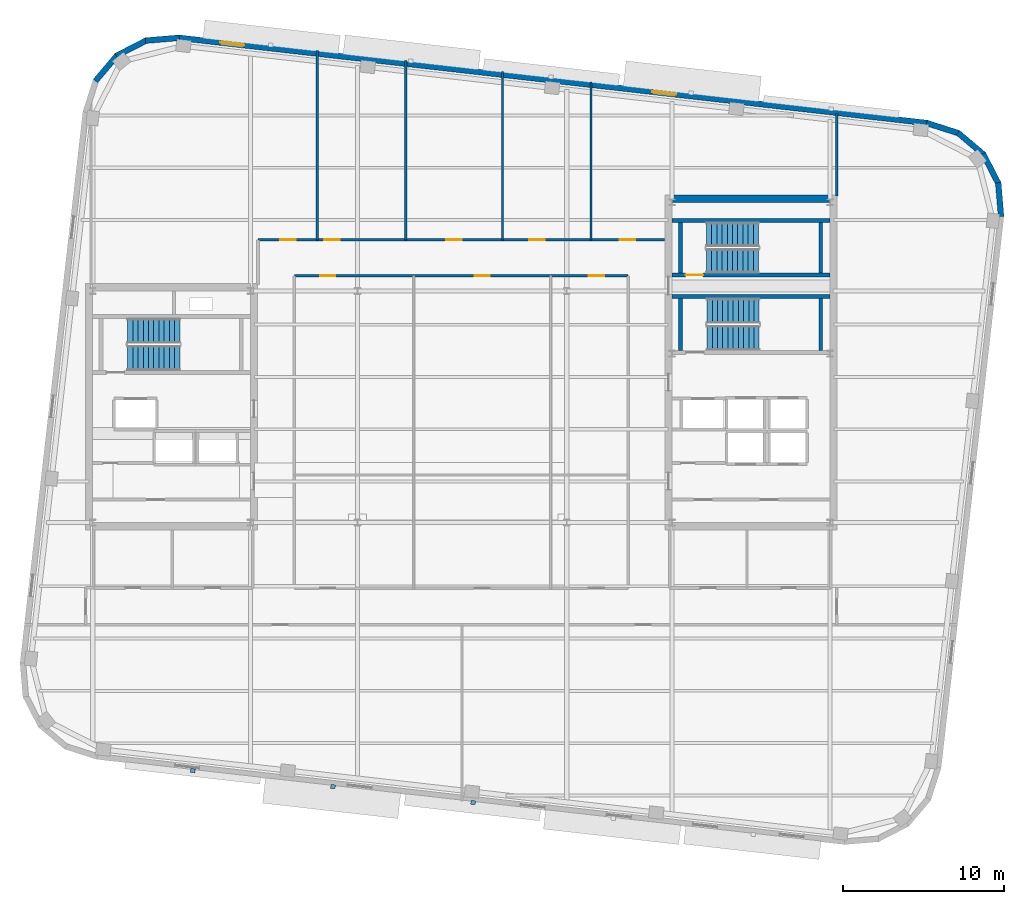
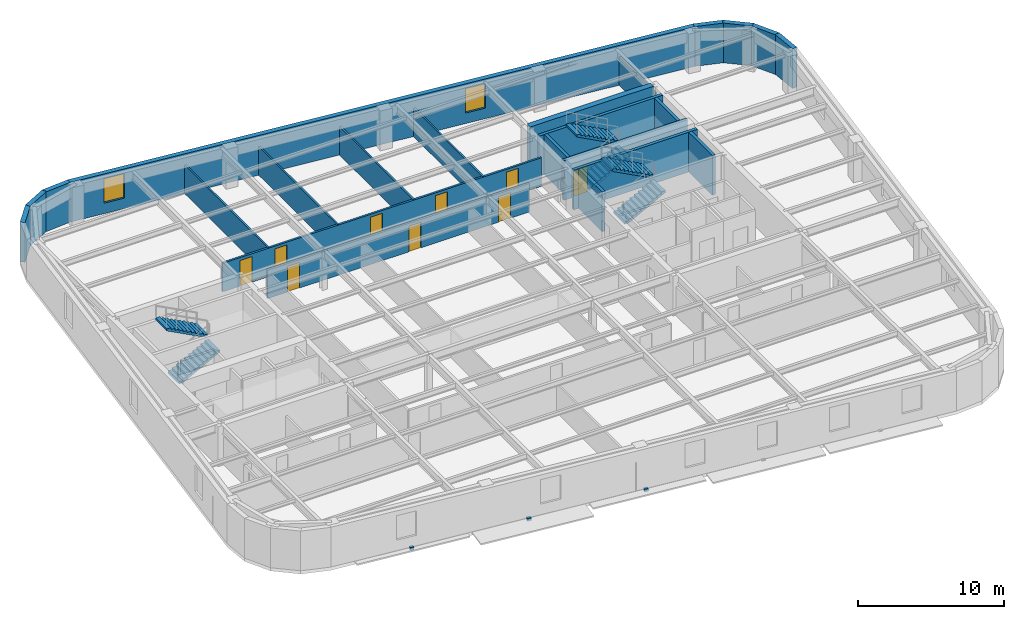
# One storey, part 8 of 13: 23 walls, 9 doors, 6 stair flights, 3 discrete accessories, 2 windows, 11 openings, 3 elements without a shape of their own.
"""IFC4 building model written with IfcOpenShell, lengths in metres."""

from ifc_helpers import new_model, si_unit, direction, frame, frame_2d, origin, origin_2d, place, context, subcontext, project, spatial, polyline, rectangle, outline, extrude, material, layer, layer_set, type_object, element, fill, aggregate, save


model = new_model("IFC4")

# Units and contexts
model_context = context("Model", 3, precision=1e-05, world=origin(), true_north=direction((0.0, 1.0)))
body_context = subcontext(model_context, "Body", "Model", "MODEL_VIEW")
ifc_project = project(units=[si_unit("LENGTHUNIT", "METRE"), si_unit("AREAUNIT", "SQUARE_METRE"), si_unit("VOLUMEUNIT", "CUBIC_METRE"), si_unit("PLANEANGLEUNIT", "RADIAN"), si_unit("MASSUNIT", "GRAM", prefix="KILO")], contexts=[model_context])

# Site, building, storey
site_placement = place(None, origin())
site = spatial("IfcSite", under=ifc_project, at=site_placement, CompositionType="ELEMENT")
building_placement = place(site_placement, origin())
building = spatial("IfcBuilding", under=site, at=building_placement, Name="Kolvaren Arena Tower", CompositionType="ELEMENT")
storey_placement = place(building_placement, frame((0.0, 0.0, 265.949951171875)))
storey = spatial("IfcBuildingStorey", under=building, at=storey_placement, Name="L65", CompositionType="ELEMENT", Elevation=265.949951171875)

# Wall, openings, doors
ifc_material_1 = material(Name="Gypsum board acoustic assembly", Category="gypsum")
ifc_layer_1 = layer(ifc_material_1, 0.159912109375)
ifc_layer_set_1 = layer_set([ifc_layer_1], Name="Gypsum board acoustic assembly")
wall_type_1 = type_object("IfcWallType", Name="CORR-160", PredefinedType="PARTITIONING", material=ifc_layer_set_1)
wall_1_placement = place(storey_placement, frame((24.820068359375, 37.02001953125, 0.0), z_axis=(0.0, 0.0, 1.0), x_axis=(1.0, 0.0, 0.0)))
wall_1 = element("IfcWall", 1, at=wall_1_placement, inside=storey, type_object=wall_type_1, Name="Interior Partition Wall (L65)", PredefinedType="PARTITIONING", context=body_context, shape_type="SweptSolid", body=[
    extrude(rectangle(XDim=25.260009765625, YDim=0.159912109375, at=frame_2d((12.6298828125, 0.0))), origin(), (0.0, 0.0, 1.0), 2.39013671875),
])
opening_1_placement = place(wall_1_placement, frame((1.3798828125, 0.0, 0.0)))
opening_1 = element("IfcOpeningElement", 2, at=opening_1_placement, cuts=wall_1, Name="Opening D05", PredefinedType="OPENING", context=body_context, shape_type="SweptSolid", body=[
    extrude(rectangle(XDim=0.949951171875, YDim=2.14990234375, at=frame_2d((0.47509765625, 1.074951171875))), frame((0.0, 0.08984375, 0.0), z_axis=(0.0, -1.0, 0.0), x_axis=(1.0, 0.0, 0.0)), (0.0, 0.0, 1.0), 0.179931640625),
])
opening_2_placement = place(wall_1_placement, frame((4.1298828125, 0.0, 0.0)))
opening_2 = element("IfcOpeningElement", 3, at=opening_2_placement, cuts=wall_1, Name="Opening D05", PredefinedType="OPENING", context=body_context, shape_type="SweptSolid", body=[
    extrude(rectangle(XDim=0.949951171875, YDim=2.14990234375, at=frame_2d((0.47509765625, 1.074951171875))), frame((0.0, 0.08984375, 0.0), z_axis=(0.0, -1.0, 0.0), x_axis=(1.0, 0.0, 0.0)), (0.0, 0.0, 1.0), 0.179931640625),
])
opening_3_placement = place(wall_1_placement, frame((11.705078125, 0.0, 0.0)))
opening_3 = element("IfcOpeningElement", 4, at=opening_3_placement, cuts=wall_1, Name="Opening D05", PredefinedType="OPENING", context=body_context, shape_type="SweptSolid", body=[
    extrude(rectangle(XDim=0.949951171875, YDim=2.14990234375, at=frame_2d((0.47509765625, 1.074951171875))), frame((0.0, 0.08984375, 0.0), z_axis=(0.0, -1.0, 0.0), x_axis=(1.0, 0.0, 0.0)), (0.0, 0.0, 1.0), 0.179931640625),
])
opening_4_placement = place(wall_1_placement, frame((16.85498046875, 0.0, 0.0)))
opening_4 = element("IfcOpeningElement", 5, at=opening_4_placement, cuts=wall_1, Name="Opening D05", PredefinedType="OPENING", context=body_context, shape_type="SweptSolid", body=[
    extrude(rectangle(XDim=0.949951171875, YDim=2.14990234375, at=frame_2d((0.47509765625, 1.074951171875))), frame((0.0, 0.08984375, 0.0), z_axis=(0.0, -1.0, 0.0), x_axis=(1.0, 0.0, 0.0)), (0.0, 0.0, 1.0), 0.179931640625),
])
opening_5_placement = place(wall_1_placement, frame((22.47998046875, 0.0, 0.0)))
opening_5 = element("IfcOpeningElement", 6, at=opening_5_placement, cuts=wall_1, Name="Opening D05", PredefinedType="OPENING", context=body_context, shape_type="SweptSolid", body=[
    extrude(rectangle(XDim=0.949951171875, YDim=2.14990234375, at=frame_2d((0.47509765625, 1.074951171875))), frame((0.0, 0.08984375, 0.0), z_axis=(0.0, -1.0, 0.0), x_axis=(1.0, 0.0, 0.0)), (0.0, 0.0, 1.0), 0.179931640625),
])
ifc_material_2 = material(Name="Solid-core oak acoustic office door", Category="wood")
door_type_1 = type_object("IfcDoorType", Name="DOOR-OF-095", OperationType="NOTDEFINED", PredefinedType="DOOR", material=ifc_material_2)
door_1_placement = place(opening_1_placement, origin())
door_1 = element("IfcDoor", 7, at=door_1_placement, inside=storey, type_object=door_type_1, Name="Wellness Room Door (L65)", OperationType="SINGLE_SWING_LEFT", OverallHeight=2.14990234375, OverallWidth=0.949951171875, PredefinedType="DOOR", context=body_context, shape_type="SweptSolid", body=[
    extrude(rectangle(XDim=0.949951171875, YDim=2.14990234375, at=frame_2d((0.47509765625, 1.074951171875))), frame((0.0, 0.02490234375, 0.0), z_axis=(0.0, -1.0, 0.0), x_axis=(1.0, 0.0, 0.0)), (0.0, 0.0, 1.0), 0.050048828125),
])
fill(opening_1, door_1)
door_2_placement = place(opening_2_placement, origin())
door_2 = element("IfcDoor", 8, at=door_2_placement, inside=storey, type_object=door_type_1, Name="Open Plan Office Door (L65)", OperationType="SINGLE_SWING_RIGHT", OverallHeight=2.14990234375, OverallWidth=0.949951171875, PredefinedType="DOOR", context=body_context, shape_type="SweptSolid", body=[
    extrude(rectangle(XDim=0.949951171875, YDim=2.14990234375, at=frame_2d((0.47509765625, 1.074951171875))), frame((0.0, 0.02490234375, 0.0), z_axis=(0.0, -1.0, 0.0), x_axis=(1.0, 0.0, 0.0)), (0.0, 0.0, 1.0), 0.050048828125),
])
fill(opening_2, door_2)
door_3_placement = place(opening_3_placement, origin())
door_3 = element("IfcDoor", 9, at=door_3_placement, inside=storey, type_object=door_type_1, Name="Boardroom Door (L65)", OperationType="SINGLE_SWING_LEFT", OverallHeight=2.14990234375, OverallWidth=0.949951171875, PredefinedType="DOOR", context=body_context, shape_type="SweptSolid", body=[
    extrude(rectangle(XDim=0.949951171875, YDim=2.14990234375, at=frame_2d((0.47509765625, 1.074951171875))), frame((0.0, 0.02490234375, 0.0), z_axis=(0.0, -1.0, 0.0), x_axis=(1.0, 0.0, 0.0)), (0.0, 0.0, 1.0), 0.050048828125),
])
fill(opening_3, door_3)
door_4_placement = place(opening_4_placement, origin())
door_4 = element("IfcDoor", 10, at=door_4_placement, inside=storey, type_object=door_type_1, Name="Breakout Pantry and Kitchen Door (L65)", OperationType="SINGLE_SWING_RIGHT", OverallHeight=2.14990234375, OverallWidth=0.949951171875, PredefinedType="DOOR", context=body_context, shape_type="SweptSolid", body=[
    extrude(rectangle(XDim=0.949951171875, YDim=2.14990234375, at=frame_2d((0.47509765625, 1.074951171875))), frame((0.0, 0.02490234375, 0.0), z_axis=(0.0, -1.0, 0.0), x_axis=(1.0, 0.0, 0.0)), (0.0, 0.0, 1.0), 0.050048828125),
])
fill(opening_4, door_4)
door_5_placement = place(opening_5_placement, origin())
door_5 = element("IfcDoor", 11, at=door_5_placement, inside=storey, type_object=door_type_1, Name="Executive Office Door (L65)", OperationType="SINGLE_SWING_LEFT", OverallHeight=2.14990234375, OverallWidth=0.949951171875, PredefinedType="DOOR", context=body_context, shape_type="SweptSolid", body=[
    extrude(rectangle(XDim=0.949951171875, YDim=2.14990234375, at=frame_2d((0.47509765625, 1.074951171875))), frame((0.0, 0.02490234375, 0.0), z_axis=(0.0, -1.0, 0.0), x_axis=(1.0, 0.0, 0.0)), (0.0, 0.0, 1.0), 0.050048828125),
])
fill(opening_5, door_5)

wall_2_placement = place(storey_placement, frame((27.080078125, 34.780029296875, 0.0), z_axis=(0.0, 0.0, 1.0), x_axis=(1.0, 0.0, 0.0)))
wall_2 = element("IfcWall", 12, at=wall_2_placement, inside=storey, type_object=wall_type_1, Name="Interior Partition Wall (L65)", PredefinedType="PARTITIONING", context=body_context, shape_type="SweptSolid", body=[
    extrude(rectangle(XDim=20.739990234375, YDim=0.159912109375, at=frame_2d((10.3701171875, 0.0))), origin(), (0.0, 0.0, 1.0), 2.39013671875),
])
opening_6_placement = place(wall_2_placement, frame((1.594970703125, 0.0, 0.0)))
opening_6 = element("IfcOpeningElement", 13, at=opening_6_placement, cuts=wall_2, Name="Opening D05", PredefinedType="OPENING", context=body_context, shape_type="SweptSolid", body=[
    extrude(rectangle(XDim=0.949951171875, YDim=2.14990234375, at=frame_2d((0.47509765625, 1.074951171875))), frame((0.0, 0.08984375, 0.0), z_axis=(0.0, -1.0, 0.0), x_axis=(1.0, 0.0, 0.0)), (0.0, 0.0, 1.0), 0.179931640625),
])
opening_7_placement = place(wall_2_placement, frame((11.195068359375, 0.0, 0.0)))
opening_7 = element("IfcOpeningElement", 14, at=opening_7_placement, cuts=wall_2, Name="Opening D05", PredefinedType="OPENING", context=body_context, shape_type="SweptSolid", body=[
    extrude(rectangle(XDim=0.949951171875, YDim=2.14990234375, at=frame_2d((0.47509765625, 1.074951171875))), frame((0.0, 0.08984375, 0.0), z_axis=(0.0, -1.0, 0.0), x_axis=(1.0, 0.0, 0.0)), (0.0, 0.0, 1.0), 0.179931640625),
])
opening_8_placement = place(wall_2_placement, frame((18.294921875, 0.0, 0.0)))
opening_8 = element("IfcOpeningElement", 15, at=opening_8_placement, cuts=wall_2, Name="Opening D05", PredefinedType="OPENING", context=body_context, shape_type="SweptSolid", body=[
    extrude(rectangle(XDim=0.949951171875, YDim=2.14990234375, at=frame_2d((0.47509765625, 1.074951171875))), frame((0.0, 0.08984375, 0.0), z_axis=(0.0, -1.0, 0.0), x_axis=(1.0, 0.0, 0.0)), (0.0, 0.0, 1.0), 0.179931640625),
])
door_6_placement = place(opening_6_placement, origin())
door_6 = element("IfcDoor", 16, at=door_6_placement, inside=storey, type_object=door_type_1, Name="Executive Office Door (L65)", OperationType="SINGLE_SWING_RIGHT", OverallHeight=2.14990234375, OverallWidth=0.949951171875, PredefinedType="DOOR", context=body_context, shape_type="SweptSolid", body=[
    extrude(rectangle(XDim=0.949951171875, YDim=2.14990234375, at=frame_2d((0.47509765625, 1.074951171875))), frame((0.0, 0.02490234375, 0.0), z_axis=(0.0, -1.0, 0.0), x_axis=(1.0, 0.0, 0.0)), (0.0, 0.0, 1.0), 0.050048828125),
])
fill(opening_6, door_6)
door_7_placement = place(opening_7_placement, origin())
door_7 = element("IfcDoor", 17, at=door_7_placement, inside=storey, type_object=door_type_1, Name="Open Plan Office Door (L65)", OperationType="SINGLE_SWING_RIGHT", OverallHeight=2.14990234375, OverallWidth=0.949951171875, PredefinedType="DOOR", context=body_context, shape_type="SweptSolid", body=[
    extrude(rectangle(XDim=0.949951171875, YDim=2.14990234375, at=frame_2d((0.47509765625, 1.074951171875))), frame((0.0, 0.02490234375, 0.0), z_axis=(0.0, -1.0, 0.0), x_axis=(1.0, 0.0, 0.0)), (0.0, 0.0, 1.0), 0.050048828125),
])
fill(opening_7, door_7)
door_8_placement = place(opening_8_placement, origin())
door_8 = element("IfcDoor", 18, at=door_8_placement, inside=storey, type_object=door_type_1, Name="Breakout Pantry and Kitchen Door (L65)", OperationType="SINGLE_SWING_RIGHT", OverallHeight=2.14990234375, OverallWidth=0.949951171875, PredefinedType="DOOR", context=body_context, shape_type="SweptSolid", body=[
    extrude(rectangle(XDim=0.949951171875, YDim=2.14990234375, at=frame_2d((0.47509765625, 1.074951171875))), frame((0.0, 0.02490234375, 0.0), z_axis=(0.0, -1.0, 0.0), x_axis=(1.0, 0.0, 0.0)), (0.0, 0.0, 1.0), 0.050048828125),
])
fill(opening_8, door_8)

# Walls
ifc_material_3 = material(Name="Concrete 55 MPa", Category="concrete")
ifc_layer_2 = layer(ifc_material_3, 0.449951171875)
ifc_layer_set_2 = layer_set([ifc_layer_2], Name="Concrete 55 MPa")
wall_type_2 = type_object("IfcWallType", Name="CWALL-450", PredefinedType="SHEAR", material=ifc_layer_set_2)
wall_3_placement = place(storey_placement, frame((50.550048828125, 39.574951171875, -0.27001953125), z_axis=(0.0, 0.0, 1.0), x_axis=(1.0, 0.0, 0.0)))
element("IfcWall", 19, at=wall_3_placement, inside=storey, type_object=wall_type_2, Name="Core Shear Wall EC-NORTH (L65)", PredefinedType="SHEAR", context=body_context, shape_type="SweptSolid", body=[
    extrude(rectangle(XDim=9.800048828125, YDim=0.449951171875, at=frame_2d((4.89990234375, 0.0))), origin(), (0.0, 0.0, 1.0), 3.60009765625),
])
ifc_material_4 = material(Name="Precast concrete C50/60", Category="concrete")
ifc_layer_3 = layer(ifc_material_4, 0.360107421875)
ifc_layer_set_3 = layer_set([ifc_layer_3], Name="Precast concrete C50/60")
wall_type_3 = type_object("IfcWallType", Name="EXT-PIER2", PredefinedType="SOLIDWALL", material=ifc_layer_set_3)
wall_4_placement = place(storey_placement, frame((70.813720703125, 40.563720703125, 0.0), z_axis=(0.0, 0.0, 1.0), x_axis=(0.082853678144, -0.996561723135, 0.0)))
element("IfcWall", 20, at=wall_4_placement, inside=storey, type_object=wall_type_3, Name="Exterior Precast Masonry-Frame Wall (L65)", PredefinedType="SOLIDWALL", context=body_context, shape_type="SweptSolid", body=[
    extrude(rectangle(XDim=2.10693359375, YDim=0.360107421875, at=frame_2d((1.053466796875, 0.0))), origin(), (0.0, 0.0, 1.0), 3.330078125),
])
for number, where, z_axis, x_axis, name in (
    (21, (69.868408203125, 42.369384765625, 0.0), (0.0, 0.0, 1.0), (0.457887222333, -0.889010287693, 0.0), "Exterior Precast Masonry-Frame Wall (L65)"),
    (22, (68.303955078125, 43.67578125, 0.0), (0.0, 0.0, 1.0), (0.763192878975, -0.646170743289, 0.0), "Exterior Precast Masonry-Frame Wall (L65)"),
    (23, (66.358642578125, 44.283935546875, 0.0), (0.0, 0.0, 1.0), (0.952403965565, -0.304838787518, 0.0), "Exterior Precast Masonry-Frame Wall (L65)"),
):
    element("IfcWall", number, at=place(storey_placement, frame(where, z_axis=z_axis, x_axis=x_axis)), inside=storey, type_object=wall_type_3, Name=name, PredefinedType="SOLIDWALL", context=body_context, shape_type="SweptSolid", body=[
        extrude(rectangle(XDim=2.107177734375, YDim=0.360107421875, at=frame_2d((1.0537109375, 0.0))), origin(), (0.0, 0.0, 1.0), 3.330078125),
    ])

# Wall, openings, windows
wall_5_placement = place(storey_placement, frame((19.89404296875, 49.57470703125, 0.0), z_axis=(0.0, 0.0, 1.0), x_axis=(0.993571439016, -0.113206870688, 0.0)))
wall_5 = element("IfcWall", 24, at=wall_5_placement, inside=storey, type_object=wall_type_3, Name="Exterior Precast Masonry-Frame Wall (L65)", PredefinedType="SOLIDWALL", context=body_context, shape_type="SweptSolid", body=[
    extrude(rectangle(XDim=46.800048828125, YDim=0.360107421875, at=frame_2d((23.39990234375, 0.0))), origin(), (0.0, 0.0, 1.0), 3.330078125),
])
opening_9_placement = place(wall_5_placement, frame((2.60009765625, 0.0, 0.8798828125)))
opening_9 = element("IfcOpeningElement", 25, at=opening_9_placement, cuts=wall_5, Name="Opening W03", PredefinedType="OPENING", context=body_context, shape_type="SweptSolid", body=[
    extrude(rectangle(XDim=1.5, YDim=2.050048828125, at=frame_2d((0.75, 1.02490234375))), frame((0.0, 0.18994140625, 0.0), z_axis=(0.0, -1.0, 0.0), x_axis=(1.0, 0.0, 0.0)), (0.0, 0.0, 1.0), 0.380126953125),
])
opening_10_placement = place(wall_5_placement, frame((29.60009765625, 0.0, 0.8798828125)))
opening_10 = element("IfcOpeningElement", 26, at=opening_10_placement, cuts=wall_5, Name="Opening W03", PredefinedType="OPENING", context=body_context, shape_type="SweptSolid", body=[
    extrude(rectangle(XDim=1.5, YDim=2.050048828125, at=frame_2d((0.75, 1.02490234375))), frame((0.0, 0.18994140625, 0.0), z_axis=(0.0, -1.0, 0.0), x_axis=(1.0, 0.0, 0.0)), (0.0, 0.0, 1.0), 0.380126953125),
])
ifc_material_5 = material(Name="Triple-glazed low-E aluminium window", Category="aluminium")
window_type = type_object("IfcWindowType", Name="WIN-OFF-C", PartitioningType="SINGLE_PANEL", PredefinedType="WINDOW", material=ifc_material_5)
window_1_placement = place(opening_9_placement, origin())
window_1 = element("IfcWindow", 27, at=window_1_placement, inside=storey, type_object=window_type, Name="Punched Precast-Pier Window (L65)", OverallHeight=2.050048828125, OverallWidth=1.5, PartitioningType="SINGLE_PANEL", PredefinedType="WINDOW", context=body_context, shape_type="SweptSolid", body=[
    extrude(rectangle(XDim=1.5, YDim=2.050048828125, at=frame_2d((0.75, 1.02490234375))), frame((0.0, 0.030029296875, 0.0), z_axis=(0.0, -1.0, 0.0), x_axis=(1.0, 0.0, 0.0)), (0.0, 0.0, 1.0), 0.06005859375),
])
fill(opening_9, window_1)
window_2_placement = place(opening_10_placement, origin())
window_2 = element("IfcWindow", 28, at=window_2_placement, inside=storey, type_object=window_type, Name="Punched Precast-Pier Window (L65)", OverallHeight=2.050048828125, OverallWidth=1.5, PartitioningType="SINGLE_PANEL", PredefinedType="WINDOW", context=body_context, shape_type="SweptSolid", body=[
    extrude(rectangle(XDim=1.5, YDim=2.050048828125, at=frame_2d((0.75, 1.02490234375))), frame((0.0, 0.030029296875, 0.0), z_axis=(0.0, -1.0, 0.0), x_axis=(1.0, 0.0, 0.0)), (0.0, 0.0, 1.0), 0.06005859375),
])
fill(opening_10, window_2)

# Walls
for number, where, z_axis, x_axis, name in (
    (29, (17.82958984375, 49.3994140625, 0.0), (0.0, 0.0, 1.0), (0.996562518477, 0.082844111233, 0.0), "Exterior Precast Masonry-Frame Wall (L65)"),
    (30, (16.02392578125, 48.4541015625, 0.0), (0.0, 0.0, 1.0), (0.889010287693, 0.457887222333, 0.0), "Exterior Precast Masonry-Frame Wall (L65)"),
    (31, (14.717529296875, 46.8896484375, 0.0), (0.0, 0.0, 1.0), (0.646170743289, 0.763192878975, 0.0), "Exterior Precast Masonry-Frame Wall (L65)"),
):
    element("IfcWall", number, at=place(storey_placement, frame(where, z_axis=z_axis, x_axis=x_axis)), inside=storey, type_object=wall_type_3, Name=name, PredefinedType="SOLIDWALL", context=body_context, shape_type="SweptSolid", body=[
        extrude(rectangle(XDim=2.107177734375, YDim=0.360107421875, at=frame_2d((1.0537109375, 0.0))), origin(), (0.0, 0.0, 1.0), 3.330078125),
    ])
ifc_material_6 = material(Name="Gypsum board partition assembly", Category="gypsum")
ifc_layer_4 = layer(ifc_material_6, 0.135009765625)
ifc_layer_set_4 = layer_set([ifc_layer_4], Name="Gypsum board partition assembly")
wall_type_4 = type_object("IfcWallType", Name="PART-135", PredefinedType="PARTITIONING", material=ifc_layer_set_4)
wall_6_placement = place(storey_placement, frame((28.5, 37.02001953125, 0.0), z_axis=(0.0, 0.0, 1.0), x_axis=(0.0, 1.0, 0.0)))
element("IfcWall", 32, at=wall_6_placement, inside=storey, type_object=wall_type_4, Name="Interior Partition Wall (L65)", PredefinedType="PARTITIONING", context=body_context, shape_type="SweptSolid", body=[
    extrude(rectangle(XDim=11.755126953125, YDim=0.135009765625, at=frame_2d((5.87744140625, 0.0))), origin(), (0.0, 0.0, 1.0), 2.39013671875),
])
wall_7_placement = place(storey_placement, frame((34.0, 37.02001953125, 0.0), z_axis=(0.0, 0.0, 1.0), x_axis=(0.0, 1.0, 0.0)))
element("IfcWall", 33, at=wall_7_placement, inside=storey, type_object=wall_type_4, Name="Interior Partition Wall (L65)", PredefinedType="PARTITIONING", context=body_context, shape_type="SweptSolid", body=[
    extrude(rectangle(XDim=11.12841796875, YDim=0.135009765625, at=frame_2d((5.564208984375, 0.0))), origin(), (0.0, 0.0, 1.0), 2.39013671875),
])
wall_8_placement = place(storey_placement, frame((40.0, 37.02001953125, 0.0), z_axis=(0.0, 0.0, 1.0), x_axis=(0.0, 1.0, 0.0)))
element("IfcWall", 34, at=wall_8_placement, inside=storey, type_object=wall_type_4, Name="Interior Partition Wall (L65)", PredefinedType="PARTITIONING", context=body_context, shape_type="SweptSolid", body=[
    extrude(rectangle(XDim=10.44482421875, YDim=0.135009765625, at=frame_2d((5.222412109375, 0.0))), origin(), (0.0, 0.0, 1.0), 2.39013671875),
])
wall_9_placement = place(storey_placement, frame((45.5, 37.02001953125, 0.0), z_axis=(0.0, 0.0, 1.0), x_axis=(0.0, 1.0, 0.0)))
element("IfcWall", 35, at=wall_9_placement, inside=storey, type_object=wall_type_4, Name="Interior Partition Wall (L65)", PredefinedType="PARTITIONING", context=body_context, shape_type="SweptSolid", body=[
    extrude(rectangle(XDim=9.818115234375, YDim=0.135009765625, at=frame_2d((4.9091796875, 0.0))), origin(), (0.0, 0.0, 1.0), 2.39013671875),
])
wall_10_placement = place(storey_placement, frame((60.780029296875, 39.75, 0.0), z_axis=(0.0, 0.0, 1.0), x_axis=(0.0, 1.0, 0.0)))
element("IfcWall", 36, at=wall_10_placement, inside=storey, type_object=wall_type_4, Name="Interior Partition Wall (L65)", PredefinedType="PARTITIONING", context=body_context, shape_type="SweptSolid", body=[
    extrude(rectangle(XDim=5.105712890625, YDim=0.135009765625, at=frame_2d((2.552734375, 0.0))), origin(), (0.0, 0.0, 1.0), 2.39013671875),
])
ifc_material_7 = material(Name="Concrete 45 MPa", Category="concrete")
ifc_layer_5 = layer(ifc_material_7, 0.25)
ifc_layer_set_5 = layer_set([ifc_layer_5], Name="Concrete 45 MPa")
wall_type_5 = type_object("IfcWallType", Name="SHAFT-250", PredefinedType="SOLIDWALL", material=ifc_layer_set_5)
wall_11_placement = place(storey_placement, frame((50.550048828125, 33.5, 0.0), z_axis=(0.0, 0.0, 1.0), x_axis=(1.0, 0.0, 0.0)))
element("IfcWall", 37, at=wall_11_placement, inside=storey, type_object=wall_type_5, Name="Core Shaft Wall (L65)", PredefinedType="SOLIDWALL", context=body_context, shape_type="SweptSolid", body=[
    extrude(rectangle(XDim=9.800048828125, YDim=0.239990234375, at=frame_2d((4.89990234375, 0.0))), origin(), (0.0, 0.0, 1.0), 3.330078125),
])
for number, where, z_axis, x_axis, name in (
    (38, (51.06005859375, 30.14990234375, 0.0), (0.0, 0.0, 1.0), (0.0, 1.0, 0.0), "Core Shaft Wall (L65)"),
    (39, (59.780029296875, 30.14990234375, 0.0), (0.0, 0.0, 1.0), (0.0, 1.0, 0.0), "Core Shaft Wall (L65)"),
):
    element("IfcWall", number, at=place(storey_placement, frame(where, z_axis=z_axis, x_axis=x_axis)), inside=storey, type_object=wall_type_5, Name=name, PredefinedType="SOLIDWALL", context=body_context, shape_type="SweptSolid", body=[
        extrude(rectangle(XDim=3.22998046875, YDim=0.239990234375, at=frame_2d((1.614990234375, 0.0))), origin(), (0.0, 0.0, 1.0), 3.330078125),
    ])

# Wall, opening, door
wall_12_placement = place(storey_placement, frame((60.35009765625, 34.830078125, 0.0), z_axis=(0.0, 0.0, 1.0), x_axis=(-1.0, 0.0, 0.0)))
wall_12 = element("IfcWall", 40, at=wall_12_placement, inside=storey, type_object=wall_type_5, Name="Core Shaft Wall (L65)", PredefinedType="SOLIDWALL", context=body_context, shape_type="SweptSolid", body=[
    extrude(rectangle(XDim=9.800048828125, YDim=0.239990234375, at=frame_2d((4.89990234375, 0.0))), origin(), (0.0, 0.0, 1.0), 3.330078125),
])
opening_11_placement = place(wall_12_placement, frame((7.8701171875, 0.0, 0.0)))
opening_11 = element("IfcOpeningElement", 41, at=opening_11_placement, cuts=wall_12, Name="Opening D03", PredefinedType="OPENING", context=body_context, shape_type="SweptSolid", body=[
    extrude(rectangle(XDim=1.10009765625, YDim=2.14990234375, at=frame_2d((0.550048828125, 1.074951171875))), frame((0.0, 0.1298828125, 0.0), z_axis=(0.0, -1.0, 0.0), x_axis=(1.0, 0.0, 0.0)), (0.0, 0.0, 1.0), 0.260009765625),
])
ifc_material_8 = material(Name="Fire-rated steel exit stair door", Category="steel")
door_type_2 = type_object("IfcDoorType", Name="DOOR-ST-110", OperationType="NOTDEFINED", PredefinedType="DOOR", material=ifc_material_8)
door_9_placement = place(opening_11_placement, origin())
door_9 = element("IfcDoor", 42, at=door_9_placement, inside=storey, type_object=door_type_2, Name="Stair ST-E2 Fire Door (L65)", OperationType="SINGLE_SWING_LEFT", OverallHeight=2.14990234375, OverallWidth=1.10009765625, PredefinedType="DOOR", context=body_context, shape_type="SweptSolid", body=[
    extrude(rectangle(XDim=1.10009765625, YDim=2.14990234375, at=frame_2d((0.550048828125, 1.074951171875))), frame((0.0, 0.02490234375, 0.0), z_axis=(0.0, -1.0, 0.0), x_axis=(1.0, 0.0, 0.0)), (0.0, 0.0, 1.0), 0.050048828125),
])
fill(opening_11, door_9)

# Walls
wall_13_placement = place(storey_placement, frame((50.550048828125, 38.219970703125, 0.0), z_axis=(0.0, 0.0, 1.0), x_axis=(1.0, 0.0, 0.0)))
element("IfcWall", 43, at=wall_13_placement, inside=storey, type_object=wall_type_5, Name="Core Shaft Wall (L65)", PredefinedType="SOLIDWALL", context=body_context, shape_type="SweptSolid", body=[
    extrude(rectangle(XDim=9.800048828125, YDim=0.239990234375, at=frame_2d((4.89990234375, 0.0))), origin(), (0.0, 0.0, 1.0), 3.330078125),
])
for number, where, z_axis, x_axis, name in (
    (44, (51.06005859375, 34.949951171875, 0.0), (0.0, 0.0, 1.0), (0.0, 1.0, 0.0), "Core Shaft Wall (L65)"),
    (45, (59.780029296875, 34.949951171875, 0.0), (0.0, 0.0, 1.0), (0.0, 1.0, 0.0), "Core Shaft Wall (L65)"),
):
    element("IfcWall", number, at=place(storey_placement, frame(where, z_axis=z_axis, x_axis=x_axis)), inside=storey, type_object=wall_type_5, Name=name, PredefinedType="SOLIDWALL", context=body_context, shape_type="SweptSolid", body=[
        extrude(rectangle(XDim=3.150146484375, YDim=0.239990234375, at=frame_2d((1.5751953125, 0.0))), origin(), (0.0, 0.0, 1.0), 3.330078125),
    ])

# Stair, stair flights
stair_type_1 = type_object("IfcStairType", Name="STAIR-CORE-150", PredefinedType="HALF_TURN_STAIR", material=ifc_material_7)
stair_1_placement = place(storey_placement, origin())
stair_1 = element("IfcStair", 46, at=stair_1_placement, inside=storey, type_object=stair_type_1, Name="L65 ST-E2", PredefinedType="HALF_TURN_STAIR")
stair_flight_type_1 = type_object("IfcStairFlightType", Name="FLT-150", PredefinedType="STRAIGHT", material=ifc_material_7)
stair_flight_1_placement = place(storey_placement, frame((52.679931640625, 35.699951171875, 0.0), z_axis=(0.0, 0.0, 1.0), x_axis=(1.0, 0.0, 0.0)))
stair_flight_1 = element("IfcStairFlight", 47, at=stair_flight_1_placement, type_object=stair_flight_type_1, Name="ST-E2 flight 1", NumberOfRisers=11, NumberOfTreads=10, PredefinedType="STRAIGHT", RiserHeight=0.170454545, TreadLength=0.324, context=body_context, shape_type="SweptSolid", body=[
    extrude(outline(polyline([(0.0, 0.0), (0.0, 0.17041015625), (0.323974609375, 0.17041015625), (0.323974609375, 0.3408203125), (0.64794921875, 0.3408203125), (0.64794921875, 0.511474609375), (0.971923828125, 0.511474609375), (0.971923828125, 0.681884765625), (1.2958984375, 0.681884765625), (1.2958984375, 0.852294921875), (1.6201171875, 0.852294921875), (1.6201171875, 1.022705078125), (1.944091796875, 1.022705078125), (1.944091796875, 1.193115234375), (2.26806640625, 1.193115234375), (2.26806640625, 1.363525390625), (2.592041015625, 1.363525390625), (2.592041015625, 1.5341796875), (2.916015625, 1.5341796875), (2.916015625, 1.70458984375), (3.239990234375, 1.70458984375), (3.239990234375, 1.875), (3.239990234375, 1.53515625), (0.322021484375, 0.0), (0.0, 0.0)])), frame((0.0, 0.75, 0.0), z_axis=(0.0, -1.0, 0.0), x_axis=(1.0, 0.0, 0.0)), (0.0, 0.0, 1.0), 1.5),
])
stair_flight_2_placement = place(storey_placement, frame((55.919921875, 37.35009765625, 1.875), z_axis=(0.0, 0.0, 1.0), x_axis=(-1.0, 0.0, 0.0)))
stair_flight_2 = element("IfcStairFlight", 48, at=stair_flight_2_placement, type_object=stair_flight_type_1, Name="ST-E2 flight 2", NumberOfRisers=11, NumberOfTreads=10, PredefinedType="STRAIGHT", RiserHeight=0.170454545, TreadLength=0.324, context=body_context, shape_type="SweptSolid", body=[
    extrude(outline(polyline([(0.0, 0.0), (0.0, 0.17041015625), (0.323974609375, 0.17041015625), (0.323974609375, 0.3408203125), (0.64794921875, 0.3408203125), (0.64794921875, 0.511474609375), (0.971923828125, 0.511474609375), (0.971923828125, 0.681884765625), (1.2958984375, 0.681884765625), (1.2958984375, 0.852294921875), (1.6201171875, 0.852294921875), (1.6201171875, 1.022705078125), (1.944091796875, 1.022705078125), (1.944091796875, 1.193115234375), (2.26806640625, 1.193115234375), (2.26806640625, 1.363525390625), (2.592041015625, 1.363525390625), (2.592041015625, 1.5341796875), (2.916015625, 1.5341796875), (2.916015625, 1.70458984375), (3.239990234375, 1.70458984375), (3.239990234375, 1.875), (3.239990234375, 1.53515625), (0.322021484375, 0.0), (0.0, 0.0)])), frame((0.0, 0.75, 0.0), z_axis=(0.0, -1.0, 0.0), x_axis=(1.0, 0.0, 0.0)), (0.0, 0.0, 1.0), 1.5),
])
aggregate(stair_1, [stair_flight_1, stair_flight_2])

stair_type_2 = type_object("IfcStairType", Name="STAIR-CORE-165", PredefinedType="HALF_TURN_STAIR", material=ifc_material_7)
stair_2_placement = place(storey_placement, origin())
stair_2 = element("IfcStair", 49, at=stair_2_placement, inside=storey, type_object=stair_type_2, Name="L65 ST-W1", PredefinedType="HALF_TURN_STAIR")
stair_flight_type_2 = type_object("IfcStairFlightType", Name="FLT-165", PredefinedType="STRAIGHT", material=ifc_material_7)
stair_flight_3_placement = place(storey_placement, frame((16.719970703125, 29.669921875, 0.0), z_axis=(0.0, 0.0, 1.0), x_axis=(1.0, 0.0, 0.0)))
stair_flight_3 = element("IfcStairFlight", 50, at=stair_flight_3_placement, type_object=stair_flight_type_2, Name="ST-W1 flight 1", NumberOfRisers=11, NumberOfTreads=10, PredefinedType="STRAIGHT", RiserHeight=0.170454545, TreadLength=0.324, context=body_context, shape_type="SweptSolid", body=[
    extrude(outline(polyline([(0.0, 0.0), (0.0, 0.17041015625), (0.323974609375, 0.17041015625), (0.323974609375, 0.3408203125), (0.64794921875, 0.3408203125), (0.64794921875, 0.511474609375), (0.971923828125, 0.511474609375), (0.971923828125, 0.681884765625), (1.2958984375, 0.681884765625), (1.2958984375, 0.852294921875), (1.6201171875, 0.852294921875), (1.6201171875, 1.022705078125), (1.944091796875, 1.022705078125), (1.944091796875, 1.193115234375), (2.26806640625, 1.193115234375), (2.26806640625, 1.363525390625), (2.592041015625, 1.363525390625), (2.592041015625, 1.5341796875), (2.916015625, 1.5341796875), (2.916015625, 1.70458984375), (3.239990234375, 1.70458984375), (3.239990234375, 1.875), (3.239990234375, 1.53515625), (0.322021484375, 0.0), (0.0, 0.0)])), frame((0.0, 0.77001953125, 0.0), z_axis=(0.0, -1.0, 0.0), x_axis=(1.0, 0.0, 0.0)), (0.0, 0.0, 1.0), 1.5400390625),
])
stair_flight_4_placement = place(storey_placement, frame((19.9599609375, 31.360107421875, 1.875), z_axis=(0.0, 0.0, 1.0), x_axis=(-1.0, 0.0, 0.0)))
stair_flight_4 = element("IfcStairFlight", 51, at=stair_flight_4_placement, type_object=stair_flight_type_2, Name="ST-W1 flight 2", NumberOfRisers=11, NumberOfTreads=10, PredefinedType="STRAIGHT", RiserHeight=0.170454545, TreadLength=0.324, context=body_context, shape_type="SweptSolid", body=[
    extrude(outline(polyline([(0.0, 0.0), (0.0, 0.17041015625), (0.323974609375, 0.17041015625), (0.323974609375, 0.3408203125), (0.64794921875, 0.3408203125), (0.64794921875, 0.511474609375), (0.971923828125, 0.511474609375), (0.971923828125, 0.681884765625), (1.2958984375, 0.681884765625), (1.2958984375, 0.852294921875), (1.6201171875, 0.852294921875), (1.6201171875, 1.022705078125), (1.944091796875, 1.022705078125), (1.944091796875, 1.193115234375), (2.26806640625, 1.193115234375), (2.26806640625, 1.363525390625), (2.592041015625, 1.363525390625), (2.592041015625, 1.5341796875), (2.916015625, 1.5341796875), (2.916015625, 1.70458984375), (3.239990234375, 1.70458984375), (3.239990234375, 1.875), (3.239990234375, 1.53515625), (0.322021484375, 0.0), (0.0, 0.0)])), frame((0.0, 0.77001953125, 0.0), z_axis=(0.0, -1.0, 0.0), x_axis=(1.0, 0.0, 0.0)), (0.0, 0.0, 1.0), 1.5400390625),
])
aggregate(stair_2, [stair_flight_3, stair_flight_4])

stair_3_placement = place(storey_placement, origin())
stair_3 = element("IfcStair", 52, at=stair_3_placement, inside=storey, type_object=stair_type_2, Name="L65 ST-E1", PredefinedType="HALF_TURN_STAIR")
stair_flight_5_placement = place(storey_placement, frame((52.719970703125, 30.919921875, 0.0), z_axis=(0.0, 0.0, 1.0), x_axis=(1.0, 0.0, 0.0)))
stair_flight_5 = element("IfcStairFlight", 53, at=stair_flight_5_placement, type_object=stair_flight_type_2, Name="ST-E1 flight 1", NumberOfRisers=11, NumberOfTreads=10, PredefinedType="STRAIGHT", RiserHeight=0.170454545, TreadLength=0.324, context=body_context, shape_type="SweptSolid", body=[
    extrude(outline(polyline([(0.0, 0.0), (0.0, 0.17041015625), (0.323974609375, 0.17041015625), (0.323974609375, 0.3408203125), (0.64794921875, 0.3408203125), (0.64794921875, 0.511474609375), (0.971923828125, 0.511474609375), (0.971923828125, 0.681884765625), (1.2958984375, 0.681884765625), (1.2958984375, 0.852294921875), (1.6201171875, 0.852294921875), (1.6201171875, 1.022705078125), (1.944091796875, 1.022705078125), (1.944091796875, 1.193115234375), (2.26806640625, 1.193115234375), (2.26806640625, 1.363525390625), (2.592041015625, 1.363525390625), (2.592041015625, 1.5341796875), (2.916015625, 1.5341796875), (2.916015625, 1.70458984375), (3.239990234375, 1.70458984375), (3.239990234375, 1.875), (3.239990234375, 1.53515625), (0.322021484375, 0.0), (0.0, 0.0)])), frame((0.0, 0.77001953125, 0.0), z_axis=(0.0, -1.0, 0.0), x_axis=(1.0, 0.0, 0.0)), (0.0, 0.0, 1.0), 1.5400390625),
])
stair_flight_6_placement = place(storey_placement, frame((55.9599609375, 32.610107421875, 1.875), z_axis=(0.0, 0.0, 1.0), x_axis=(-1.0, 0.0, 0.0)))
stair_flight_6 = element("IfcStairFlight", 54, at=stair_flight_6_placement, type_object=stair_flight_type_2, Name="ST-E1 flight 2", NumberOfRisers=11, NumberOfTreads=10, PredefinedType="STRAIGHT", RiserHeight=0.170454545, TreadLength=0.324, context=body_context, shape_type="SweptSolid", body=[
    extrude(outline(polyline([(0.0, 0.0), (0.0, 0.17041015625), (0.323974609375, 0.17041015625), (0.323974609375, 0.3408203125), (0.64794921875, 0.3408203125), (0.64794921875, 0.511474609375), (0.971923828125, 0.511474609375), (0.971923828125, 0.681884765625), (1.2958984375, 0.681884765625), (1.2958984375, 0.852294921875), (1.6201171875, 0.852294921875), (1.6201171875, 1.022705078125), (1.944091796875, 1.022705078125), (1.944091796875, 1.193115234375), (2.26806640625, 1.193115234375), (2.26806640625, 1.363525390625), (2.592041015625, 1.363525390625), (2.592041015625, 1.5341796875), (2.916015625, 1.5341796875), (2.916015625, 1.70458984375), (3.239990234375, 1.70458984375), (3.239990234375, 1.875), (3.239990234375, 1.53515625), (0.322021484375, 0.0), (0.0, 0.0)])), frame((0.0, 0.77001953125, 0.0), z_axis=(0.0, -1.0, 0.0), x_axis=(1.0, 0.0, 0.0)), (0.0, 0.0, 1.0), 1.5400390625),
])
aggregate(stair_3, [stair_flight_5, stair_flight_6])

# Discrete accessories
ifc_material_9 = material(Name="Stainless steel facade support bracket", Category="steel")
discrete_accessory_type = type_object("IfcDiscreteAccessoryType", Name="ACC-BRKT-1", PredefinedType="BRACKET", material=ifc_material_9)
for number, where, z_axis, x_axis, name in (
    (55, (38.1826171875, 2.05859375, -0.18017578125), (0.0, 0.0, 1.0), (-0.993571658098, 0.113204947878, 0.0), "Sunshade Support Bracket (L65)"),
    (56, (29.47900390625, 3.05029296875, -0.18017578125), (0.0, 0.0, 1.0), (-0.993571658098, 0.113204947878, 0.0), "Sunshade Support Bracket (L65)"),
    (57, (20.775390625, 4.0419921875, -0.18017578125), (0.0, 0.0, 1.0), (-0.993571658098, 0.113204947878, 0.0), "Sunshade Support Bracket (L65)"),
):
    element("IfcDiscreteAccessory", number, at=place(storey_placement, frame(where, z_axis=z_axis, x_axis=x_axis)), inside=storey, type_object=discrete_accessory_type, Name=name, PredefinedType="BRACKET", context=body_context, shape_type="SweptSolid", body=[
        extrude(rectangle(XDim=0.280029296875, YDim=0.239990234375, at=origin_2d()), origin(), (0.0, 0.0, 1.0), 0.239990234375),
    ])

save(model, "model.ifc")
